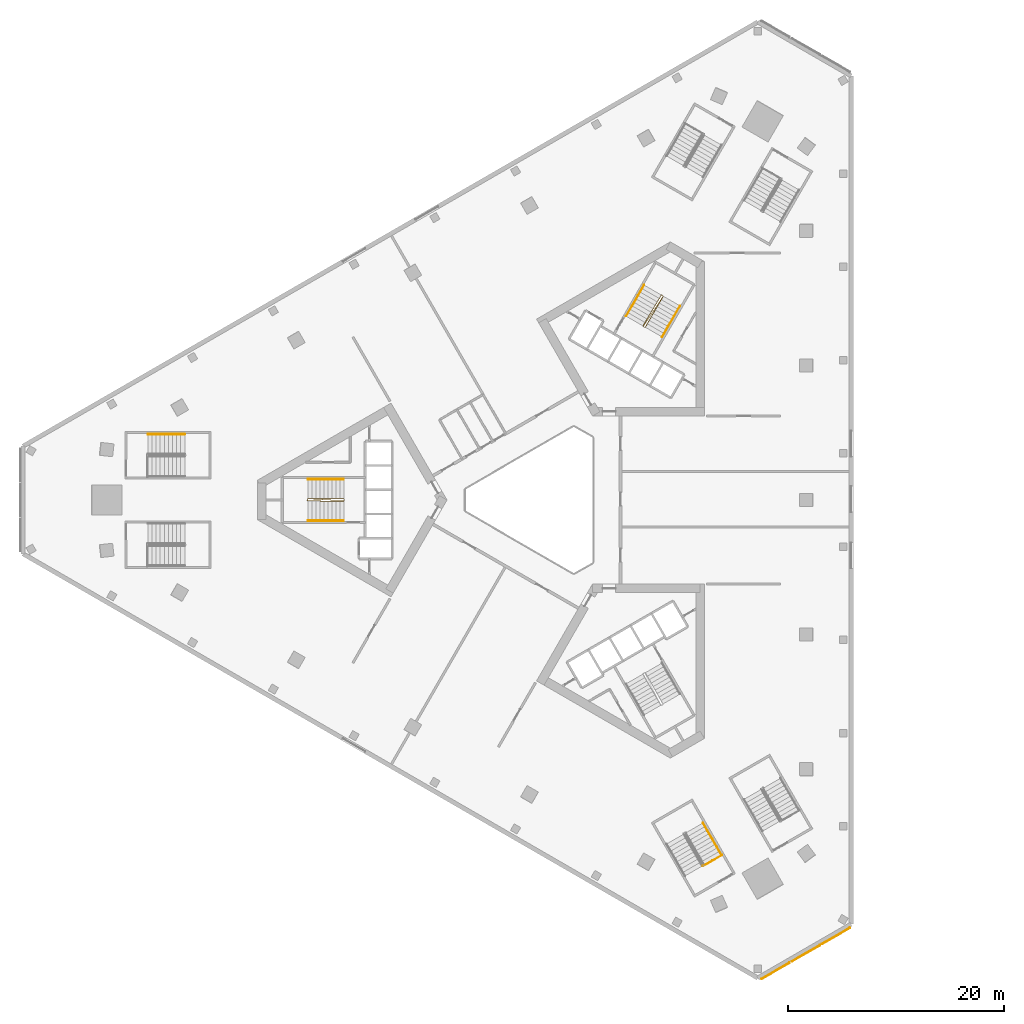
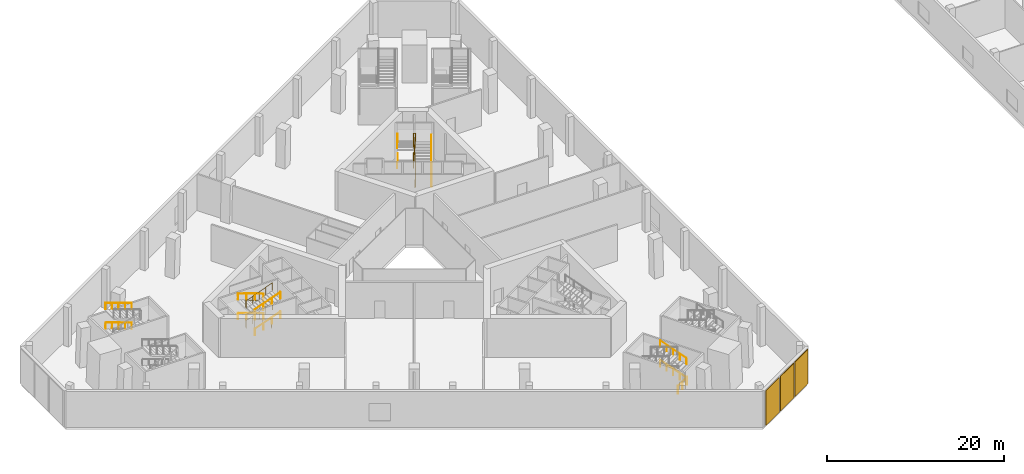
# One storey, part 22 of 35: 15 railings, 3 coverings.
"""IFC4 building model written with IfcOpenShell, lengths in metres."""

from ifc_helpers import new_model, si_unit, direction, frame, origin, origin_2d, place, context, subcontext, project, spatial, rectangle, circle, extrude, material, layer, layer_set, type_object, element, save


model = new_model("IFC4")

# Units and contexts
model_context = context("Model", 3, precision=1e-05, world=origin(), true_north=direction((0.0, 1.0)))
body_context = subcontext(model_context, "Body", "Model", "MODEL_VIEW")
ifc_project = project(units=[si_unit("LENGTHUNIT", "METRE"), si_unit("AREAUNIT", "SQUARE_METRE"), si_unit("VOLUMEUNIT", "CUBIC_METRE"), si_unit("PLANEANGLEUNIT", "RADIAN"), si_unit("MASSUNIT", "GRAM", prefix="KILO")], contexts=[model_context])

# Site, building, storey
site_placement = place(None, origin())
site = spatial("IfcSite", under=ifc_project, at=site_placement, CompositionType="ELEMENT")
building_placement = place(site_placement, origin())
building = spatial("IfcBuilding", under=site, at=building_placement, Name="Jabali Bay Hotel Tower and Convention Centre", CompositionType="ELEMENT")
storey_placement = place(building_placement, frame((0.0, 0.0, 15.0)))
storey = spatial("IfcBuildingStorey", under=building, at=storey_placement, Name="L02", CompositionType="ELEMENT", Elevation=15.0)

# Coverings
ifc_material_1 = material(Name="Precast concrete C40/50", Category="concrete")
ifc_layer = layer(ifc_material_1, 0.080078125)
ifc_layer_set = layer_set([ifc_layer], Name="Precast concrete C40/50")
covering_type = type_object("IfcCoveringType", Name="Relief panel 3000 x 4800", PredefinedType="CLADDING", material=ifc_layer_set)
for number, where, z_axis, x_axis, name in (
    (1, (102.1044921875, 39.5537109375, 0.10009765625), (0.0, 0.0, 1.0), (-0.866025402842, -0.500000001632, 0.0), "Relief panel L02"),
    (2, (99.289794921875, 37.9287109375, 0.10009765625), (0.0, 0.0, 1.0), (-0.866025402842, -0.500000001632, 0.0), "Relief panel L02"),
    (3, (96.475341796875, 36.3037109375, 0.10009765625), (0.0, 0.0, 1.0), (-0.866025402842, -0.500000001632, 0.0), "Relief panel L02"),
):
    element("IfcCovering", number, at=place(storey_placement, frame(where, z_axis=z_axis, x_axis=x_axis)), inside=storey, type_object=covering_type, Name=name, PredefinedType="CLADDING", context=body_context, shape_type="SweptSolid", body=[
        extrude(rectangle(XDim=3.0, YDim=0.080078125, at=origin_2d()), origin(), (0.0, 0.0, 1.0), 4.800048828125),
    ])

# Railings
ifc_material_2 = material(Name="Steel Q355B", Category="steel")
railing_type_1 = type_object("IfcRailingType", Name="Stair guard 1100", PredefinedType="GUARDRAIL", material=ifc_material_2)
railing_1_placement = place(storey_placement, frame((56.469970703125, 80.074951171875, 0.0)))
element("IfcRailing", 4, at=railing_1_placement, inside=storey, type_object=railing_type_1, Name="L02 ST1 stair guard 1", PredefinedType="GUARDRAIL", context=body_context, shape_type="SweptSolid", body=[
    extrude(circle(Radius=0.02392578125, at=origin_2d()), frame((0.0, 0.0, 1.076171875), z_axis=(-0.328322071194, 0.328322071194, 0.885668806684), x_axis=(-0.707106781187, -0.707106781187, 0.0)), (0.0, 0.0, 1.0), 0.15234375),
    extrude(circle(Radius=0.02392578125, at=origin_2d()), frame((-0.050048828125, 0.050048828125, 1.2109375), z_axis=(-0.939408729407, 0.0, 0.342799123562), x_axis=(0.0, -1.0, 0.0)), (0.0, 0.0, 1.0), 3.544677734375),
    extrude(circle(Radius=0.02392578125, at=origin_2d()), frame((-3.3798828125, 0.050048828125, 2.42626953125), z_axis=(-0.242814311512, -0.970072785993, 0.0), x_axis=(0.970072785993, -0.242814311512, 0.0)), (0.0, 0.0, 1.0), 0.2060546875),
    extrude(circle(Radius=0.02392578125, at=origin_2d()), frame((-3.429931640625, -0.14990234375, 2.42626953125), z_axis=(0.928587690809, -0.013750395595, 0.370858230459), x_axis=(0.014806235788, 0.999890381683, 0.0)), (0.0, 0.0, 1.0), 3.639892578125),
    extrude(circle(Radius=0.02392578125, at=origin_2d()), frame((-0.050048828125, -0.199951171875, 3.77587890625), z_axis=(0.707106781187, 0.707106781187, 0.0), x_axis=(-0.707106781187, 0.707106781187, 0.0)), (0.0, 0.0, 1.0), 0.07080078125),
    extrude(circle(Radius=0.02392578125, at=origin_2d()), frame((0.0, -0.14990234375, 3.77587890625), z_axis=(-0.927254107702, 0.054855613566, 0.37039260442), x_axis=(-0.059055950465, -0.998254674276, 0.0)), (0.0, 0.0, 1.0), 3.64501953125),
    extrude(circle(Radius=0.02392578125, at=origin_2d()), frame((-3.3798828125, 0.050048828125, 5.1259765625), z_axis=(-0.242814311512, -0.970072785993, 0.0), x_axis=(0.970072785993, -0.242814311512, 0.0)), (0.0, 0.0, 1.0), 0.2060546875),
    extrude(circle(Radius=0.02392578125, at=origin_2d()), frame((-3.429931640625, -0.14990234375, 5.1259765625), z_axis=(0.928587690809, -0.013750395595, 0.370858230459), x_axis=(0.014806235788, 0.999890381683, 0.0)), (0.0, 0.0, 1.0), 3.639892578125),
    extrude(circle(Radius=0.02099609375, at=origin_2d()), origin(), (0.0, 0.0, 1.0), 1.052001953125),
    extrude(circle(Radius=0.02099609375, at=origin_2d()), frame((-0.050048828125, 0.050048828125, 0.135009765625)), (0.0, 0.0, 1.0), 1.052001953125),
    extrude(circle(Radius=0.02099609375, at=origin_2d()), frame((-1.159912109375, 0.050048828125, 0.5400390625)), (0.0, 0.0, 1.0), 1.052001953125),
    extrude(circle(Radius=0.02099609375, at=origin_2d()), frame((-2.27001953125, 0.050048828125, 0.945068359375)), (0.0, 0.0, 1.0), 1.052001953125),
    extrude(circle(Radius=0.02099609375, at=origin_2d()), frame((-3.3798828125, 0.050048828125, 1.35009765625)), (0.0, 0.0, 1.0), 1.052001953125),
    extrude(circle(Radius=0.02099609375, at=origin_2d()), frame((-3.429931640625, -0.14990234375, 1.35009765625)), (0.0, 0.0, 1.0), 1.052001953125),
    extrude(circle(Radius=0.02099609375, at=origin_2d()), frame((-2.5849609375, -0.162353515625, 1.6875)), (0.0, 0.0, 1.0), 1.052001953125),
    extrude(circle(Radius=0.02099609375, at=origin_2d()), frame((-1.739990234375, -0.1748046875, 2.02490234375)), (0.0, 0.0, 1.0), 1.052001953125),
    extrude(circle(Radius=0.02099609375, at=origin_2d()), frame((-0.89501953125, -0.1875, 2.362548828125)), (0.0, 0.0, 1.0), 1.052001953125),
    extrude(circle(Radius=0.02099609375, at=origin_2d()), frame((-0.050048828125, -0.199951171875, 2.699951171875)), (0.0, 0.0, 1.0), 1.052001953125),
    extrude(circle(Radius=0.02099609375, at=origin_2d()), frame((0.0, -0.14990234375, 2.699951171875)), (0.0, 0.0, 1.0), 1.052001953125),
    extrude(circle(Radius=0.02099609375, at=origin_2d()), frame((-0.844970703125, -0.099853515625, 3.03759765625)), (0.0, 0.0, 1.0), 1.052001953125),
    extrude(circle(Radius=0.02099609375, at=origin_2d()), frame((-1.68994140625, -0.0498046875, 3.375)), (0.0, 0.0, 1.0), 1.052001953125),
    extrude(circle(Radius=0.02099609375, at=origin_2d()), frame((-2.534912109375, 0.0, 3.71240234375)), (0.0, 0.0, 1.0), 1.052001953125),
    extrude(circle(Radius=0.02099609375, at=origin_2d()), frame((-3.3798828125, 0.050048828125, 4.050048828125)), (0.0, 0.0, 1.0), 1.052001953125),
    extrude(circle(Radius=0.02099609375, at=origin_2d()), frame((-3.429931640625, -0.14990234375, 4.050048828125)), (0.0, 0.0, 1.0), 1.052001953125),
    extrude(circle(Radius=0.02099609375, at=origin_2d()), frame((-2.5849609375, -0.162353515625, 4.387451171875)), (0.0, 0.0, 1.0), 1.052001953125),
    extrude(circle(Radius=0.02099609375, at=origin_2d()), frame((-1.739990234375, -0.1748046875, 4.72509765625)), (0.0, 0.0, 1.0), 1.052001953125),
    extrude(circle(Radius=0.02099609375, at=origin_2d()), frame((-0.89501953125, -0.1875, 5.0625)), (0.0, 0.0, 1.0), 1.052001953125),
    extrude(circle(Radius=0.02099609375, at=origin_2d()), frame((-0.050048828125, -0.199951171875, 5.39990234375)), (0.0, 0.0, 1.0), 1.052001953125),
])
railing_2_placement = place(storey_placement, frame((84.329833984375, 96.010009765625, 0.0)))
element("IfcRailing", 5, at=railing_2_placement, inside=storey, type_object=railing_type_1, Name="L02 ST2 stair guard 1", PredefinedType="GUARDRAIL", context=body_context, shape_type="SweptSolid", body=[
    extrude(circle(Radius=0.02392578125, at=origin_2d()), frame((0.0, 0.0, 1.076171875), z_axis=(0.448454281082, 0.120121682433, 0.885697205138), x_axis=(-0.258736085224, 0.965948051503, 0.0)), (0.0, 0.0, 1.0), 0.15234375),
    extrude(circle(Radius=0.02392578125, at=origin_2d()), frame((0.068359375, 0.018310546875, 1.2109375), z_axis=(0.469723847584, 0.813545174145, 0.342788209593), x_axis=(-0.866014653411, 0.500018619731, 0.0)), (0.0, 0.0, 1.0), 3.544677734375),
    extrude(circle(Radius=0.02392578125, at=origin_2d()), frame((1.7333984375, 2.902099609375, 2.42626953125), z_axis=(-0.718850276695, 0.695164929852, 0.0), x_axis=(-0.695164929852, -0.718850276695, 0.0)), (0.0, 0.0, 1.0), 0.2060546875),
    extrude(circle(Radius=0.02392578125, at=origin_2d()), frame((1.585205078125, 3.04541015625, 2.42626953125), z_axis=(-0.476219921115, -0.797299465112, 0.370847879415), x_axis=(0.858517215027, -0.512784741877, 0.0)), (0.0, 0.0, 1.0), 3.639892578125),
    extrude(circle(Radius=0.02392578125, at=origin_2d()), frame((-0.148193359375, 0.143310546875, 3.77587890625), z_axis=(0.258736085224, -0.965948051503, 0.0), x_axis=(0.965948051503, 0.258736085224, 0.0)), (0.0, 0.0, 1.0), 0.07080078125),
    extrude(circle(Radius=0.02392578125, at=origin_2d()), frame((-0.1298828125, 0.074951171875, 3.77587890625), z_axis=(0.511162802913, 0.775585070457, 0.370378708085), x_axis=(-0.834967240255, 0.550299652645, 0.0)), (0.0, 0.0, 1.0), 3.645263671875),
    extrude(circle(Radius=0.02392578125, at=origin_2d()), frame((1.7333984375, 2.902099609375, 5.1259765625), z_axis=(-0.718850276695, 0.695164929852, 0.0), x_axis=(-0.695164929852, -0.718850276695, 0.0)), (0.0, 0.0, 1.0), 0.2060546875),
    extrude(circle(Radius=0.02392578125, at=origin_2d()), frame((1.585205078125, 3.04541015625, 5.1259765625), z_axis=(-0.476219921115, -0.797299465112, 0.370847879415), x_axis=(0.858517215027, -0.512784741877, 0.0)), (0.0, 0.0, 1.0), 3.639892578125),
    extrude(circle(Radius=0.02099609375, at=origin_2d()), origin(), (0.0, 0.0, 1.0), 1.052001953125),
    extrude(circle(Radius=0.02099609375, at=origin_2d()), frame((0.068359375, 0.018310546875, 0.135009765625)), (0.0, 0.0, 1.0), 1.052001953125),
    extrude(circle(Radius=0.02099609375, at=origin_2d()), frame((0.623291015625, 0.9794921875, 0.5400390625)), (0.0, 0.0, 1.0), 1.052001953125),
    extrude(circle(Radius=0.02099609375, at=origin_2d()), frame((1.178466796875, 1.94091796875, 0.945068359375)), (0.0, 0.0, 1.0), 1.052001953125),
    extrude(circle(Radius=0.02099609375, at=origin_2d()), frame((1.7333984375, 2.902099609375, 1.35009765625)), (0.0, 0.0, 1.0), 1.052001953125),
    extrude(circle(Radius=0.02099609375, at=origin_2d()), frame((1.585205078125, 3.04541015625, 1.35009765625)), (0.0, 0.0, 1.0), 1.052001953125),
    extrude(circle(Radius=0.02099609375, at=origin_2d()), frame((1.15185546875, 2.31982421875, 1.6875)), (0.0, 0.0, 1.0), 1.052001953125),
    extrude(circle(Radius=0.02099609375, at=origin_2d()), frame((0.718505859375, 1.59423828125, 2.02490234375)), (0.0, 0.0, 1.0), 1.052001953125),
    extrude(circle(Radius=0.02099609375, at=origin_2d()), frame((0.28515625, 0.868896484375, 2.362548828125)), (0.0, 0.0, 1.0), 1.052001953125),
    extrude(circle(Radius=0.02099609375, at=origin_2d()), frame((-0.148193359375, 0.143310546875, 2.699951171875)), (0.0, 0.0, 1.0), 1.052001953125),
    extrude(circle(Radius=0.02099609375, at=origin_2d()), frame((-0.1298828125, 0.074951171875, 2.699951171875)), (0.0, 0.0, 1.0), 1.052001953125),
    extrude(circle(Radius=0.02099609375, at=origin_2d()), frame((0.3359375, 0.78173828125, 3.03759765625)), (0.0, 0.0, 1.0), 1.052001953125),
    extrude(circle(Radius=0.02099609375, at=origin_2d()), frame((0.8017578125, 1.488525390625, 3.375)), (0.0, 0.0, 1.0), 1.052001953125),
    extrude(circle(Radius=0.02099609375, at=origin_2d()), frame((1.267578125, 2.1953125, 3.71240234375)), (0.0, 0.0, 1.0), 1.052001953125),
    extrude(circle(Radius=0.02099609375, at=origin_2d()), frame((1.7333984375, 2.902099609375, 4.050048828125)), (0.0, 0.0, 1.0), 1.052001953125),
    extrude(circle(Radius=0.02099609375, at=origin_2d()), frame((1.585205078125, 3.04541015625, 4.050048828125)), (0.0, 0.0, 1.0), 1.052001953125),
    extrude(circle(Radius=0.02099609375, at=origin_2d()), frame((1.15185546875, 2.31982421875, 4.387451171875)), (0.0, 0.0, 1.0), 1.052001953125),
    extrude(circle(Radius=0.02099609375, at=origin_2d()), frame((0.718505859375, 1.59423828125, 4.72509765625)), (0.0, 0.0, 1.0), 1.052001953125),
    extrude(circle(Radius=0.02099609375, at=origin_2d()), frame((0.28515625, 0.868896484375, 5.0625)), (0.0, 0.0, 1.0), 1.052001953125),
    extrude(circle(Radius=0.02099609375, at=origin_2d()), frame((-0.148193359375, 0.143310546875, 5.39990234375)), (0.0, 0.0, 1.0), 1.052001953125),
])
railing_3_placement = place(storey_placement, frame((91.5380859375, 47.05517578125, 0.0)))
element("IfcRailing", 6, at=railing_3_placement, inside=storey, type_object=railing_type_1, Name="L02 PS6 top well guard 1", PredefinedType="GUARDRAIL", context=body_context, shape_type="SweptSolid", body=[
    extrude(circle(Radius=0.02392578125, at=origin_2d()), frame((0.0, 0.0, 1.076171875), z_axis=(-0.866050731258, -0.499956128963, 0.0), x_axis=(0.499956128963, -0.866050731258, 0.0)), (0.0, 0.0, 1.0), 2.050048828125),
    extrude(circle(Radius=0.02099609375, at=origin_2d()), origin(), (0.0, 0.0, 1.0), 1.052001953125),
    extrude(circle(Radius=0.02099609375, at=origin_2d()), frame((-0.8876953125, -0.512451171875, 0.0)), (0.0, 0.0, 1.0), 1.052001953125),
    extrude(circle(Radius=0.02099609375, at=origin_2d()), frame((-1.775390625, -1.02490234375, 0.0)), (0.0, 0.0, 1.0), 1.052001953125),
])
railing_type_2 = type_object("IfcRailingType", Name="Stair handrail 900", PredefinedType="HANDRAIL", material=ifc_material_2)
railing_4_placement = place(storey_placement, frame((56.419921875, 81.925048828125, 0.135009765625)))
element("IfcRailing", 7, at=railing_4_placement, inside=storey, type_object=railing_type_2, Name="L02 ST1 stair handrail 1", PredefinedType="HANDRAIL", context=body_context, shape_type="SweptSolid", body=[
    extrude(circle(Radius=0.02392578125, at=origin_2d()), frame((0.0, 0.0, 0.8759765625), z_axis=(-0.939408729407, 0.0, 0.342799123562), x_axis=(0.0, -1.0, 0.0)), (0.0, 0.0, 1.0), 3.544677734375),
    extrude(circle(Radius=0.02099609375, at=origin_2d()), origin(), (0.0, 0.0, 1.0), 0.851806640625),
    extrude(circle(Radius=0.02099609375, at=origin_2d()), frame((-1.10986328125, 0.0, 0.405029296875)), (0.0, 0.0, 1.0), 0.851806640625),
    extrude(circle(Radius=0.02099609375, at=origin_2d()), frame((-2.219970703125, 0.0, 0.81005859375)), (0.0, 0.0, 1.0), 0.851806640625),
    extrude(circle(Radius=0.02099609375, at=origin_2d()), frame((-3.329833984375, 0.0, 1.215087890625)), (0.0, 0.0, 1.0), 0.851806640625),
])
railing_5_placement = place(storey_placement, frame((53.090087890625, 78.074951171875, 1.485107421875)))
element("IfcRailing", 8, at=railing_5_placement, inside=storey, type_object=railing_type_2, Name="L02 ST1 stair handrail 2", PredefinedType="HANDRAIL", context=body_context, shape_type="SweptSolid", body=[
    extrude(circle(Radius=0.02392578125, at=origin_2d()), frame((0.0, 0.0, 0.8759765625), z_axis=(0.93943090821, 0.0, 0.342738338533), x_axis=(0.0, 1.0, 0.0)), (0.0, 0.0, 1.0), 3.54443359375),
    extrude(circle(Radius=0.02099609375, at=origin_2d()), origin(), (0.0, 0.0, 1.0), 0.851806640625),
    extrude(circle(Radius=0.02099609375, at=origin_2d()), frame((1.10986328125, 0.0, 0.405029296875)), (0.0, 0.0, 1.0), 0.851806640625),
    extrude(circle(Radius=0.02099609375, at=origin_2d()), frame((2.219970703125, 0.0, 0.809814453125)), (0.0, 0.0, 1.0), 0.851806640625),
    extrude(circle(Radius=0.02099609375, at=origin_2d()), frame((3.329833984375, 0.0, 1.21484375)), (0.0, 0.0, 1.0), 0.851806640625),
])
railing_6_placement = place(storey_placement, frame((56.419921875, 81.925048828125, 2.8349609375)))
element("IfcRailing", 9, at=railing_6_placement, inside=storey, type_object=railing_type_2, Name="L02 ST1 stair handrail 3", PredefinedType="HANDRAIL", context=body_context, shape_type="SweptSolid", body=[
    extrude(circle(Radius=0.02392578125, at=origin_2d()), frame((0.0, 0.0, 0.8759765625), z_axis=(-0.939408729407, 0.0, 0.342799123562), x_axis=(0.0, -1.0, 0.0)), (0.0, 0.0, 1.0), 3.544677734375),
    extrude(circle(Radius=0.02099609375, at=origin_2d()), origin(), (0.0, 0.0, 1.0), 0.851806640625),
    extrude(circle(Radius=0.02099609375, at=origin_2d()), frame((-1.10986328125, 0.0, 0.405029296875)), (0.0, 0.0, 1.0), 0.851806640625),
    extrude(circle(Radius=0.02099609375, at=origin_2d()), frame((-2.219970703125, 0.0, 0.81005859375)), (0.0, 0.0, 1.0), 0.851806640625),
    extrude(circle(Radius=0.02099609375, at=origin_2d()), frame((-3.329833984375, 0.0, 1.215087890625)), (0.0, 0.0, 1.0), 0.851806640625),
])
railing_7_placement = place(storey_placement, frame((53.090087890625, 78.074951171875, 4.18505859375)))
element("IfcRailing", 10, at=railing_7_placement, inside=storey, type_object=railing_type_2, Name="L02 ST1 stair handrail 4", PredefinedType="HANDRAIL", context=body_context, shape_type="SweptSolid", body=[
    extrude(circle(Radius=0.02392578125, at=origin_2d()), frame((0.0, 0.0, 0.8759765625), z_axis=(0.93943090821, 0.0, 0.342738338533), x_axis=(0.0, 1.0, 0.0)), (0.0, 0.0, 1.0), 3.54443359375),
    extrude(circle(Radius=0.02099609375, at=origin_2d()), origin(), (0.0, 0.0, 1.0), 0.851806640625),
    extrude(circle(Radius=0.02099609375, at=origin_2d()), frame((1.10986328125, 0.0, 0.405029296875)), (0.0, 0.0, 1.0), 0.851806640625),
    extrude(circle(Radius=0.02099609375, at=origin_2d()), frame((2.219970703125, 0.0, 0.809814453125)), (0.0, 0.0, 1.0), 0.851806640625),
    extrude(circle(Radius=0.02099609375, at=origin_2d()), frame((3.329833984375, 0.0, 1.21484375)), (0.0, 0.0, 1.0), 0.851806640625),
])
railing_8_placement = place(storey_placement, frame((85.95703125, 95.128173828125, 0.135009765625)))
element("IfcRailing", 11, at=railing_8_placement, inside=storey, type_object=railing_type_2, Name="L02 ST2 stair handrail 1", PredefinedType="HANDRAIL", context=body_context, shape_type="SweptSolid", body=[
    extrude(circle(Radius=0.02392578125, at=origin_2d()), frame((0.0, 0.0, 0.8759765625), z_axis=(0.469697528886, 0.813568461692, 0.342769003118), x_axis=(-0.866032982159, 0.499986873641, 0.0)), (0.0, 0.0, 1.0), 3.544921875),
    extrude(circle(Radius=0.02099609375, at=origin_2d()), origin(), (0.0, 0.0, 1.0), 0.851806640625),
    extrude(circle(Radius=0.02099609375, at=origin_2d()), frame((0.554931640625, 0.96142578125, 0.405029296875)), (0.0, 0.0, 1.0), 0.851806640625),
    extrude(circle(Radius=0.02099609375, at=origin_2d()), frame((1.110107421875, 1.922607421875, 0.81005859375)), (0.0, 0.0, 1.0), 0.851806640625),
    extrude(circle(Radius=0.02099609375, at=origin_2d()), frame((1.6650390625, 2.884033203125, 1.215087890625)), (0.0, 0.0, 1.0), 0.851806640625),
])
railing_9_placement = place(storey_placement, frame((84.287841796875, 99.93701171875, 1.485107421875)))
element("IfcRailing", 12, at=railing_9_placement, inside=storey, type_object=railing_type_2, Name="L02 ST2 stair handrail 2", PredefinedType="HANDRAIL", context=body_context, shape_type="SweptSolid", body=[
    extrude(circle(Radius=0.02392578125, at=origin_2d()), frame((0.0, 0.0, 0.8759765625), z_axis=(-0.46973493674, -0.813564380172, 0.342727425985), x_axis=(0.866014653411, -0.500018619731, 0.0)), (0.0, 0.0, 1.0), 3.544677734375),
    extrude(circle(Radius=0.02099609375, at=origin_2d()), origin(), (0.0, 0.0, 1.0), 0.851806640625),
    extrude(circle(Radius=0.02099609375, at=origin_2d()), frame((-0.554931640625, -0.961181640625, 0.405029296875)), (0.0, 0.0, 1.0), 0.851806640625),
    extrude(circle(Radius=0.02099609375, at=origin_2d()), frame((-1.110107421875, -1.922607421875, 0.809814453125)), (0.0, 0.0, 1.0), 0.851806640625),
    extrude(circle(Radius=0.02099609375, at=origin_2d()), frame((-1.6650390625, -2.8837890625, 1.21484375)), (0.0, 0.0, 1.0), 0.851806640625),
])
railing_10_placement = place(storey_placement, frame((85.95703125, 95.128173828125, 2.8349609375)))
element("IfcRailing", 13, at=railing_10_placement, inside=storey, type_object=railing_type_2, Name="L02 ST2 stair handrail 3", PredefinedType="HANDRAIL", context=body_context, shape_type="SweptSolid", body=[
    extrude(circle(Radius=0.02392578125, at=origin_2d()), frame((0.0, 0.0, 0.8759765625), z_axis=(0.469697528886, 0.813568461692, 0.342769003118), x_axis=(-0.866032982159, 0.499986873641, 0.0)), (0.0, 0.0, 1.0), 3.544921875),
    extrude(circle(Radius=0.02099609375, at=origin_2d()), origin(), (0.0, 0.0, 1.0), 0.851806640625),
    extrude(circle(Radius=0.02099609375, at=origin_2d()), frame((0.554931640625, 0.96142578125, 0.405029296875)), (0.0, 0.0, 1.0), 0.851806640625),
    extrude(circle(Radius=0.02099609375, at=origin_2d()), frame((1.110107421875, 1.922607421875, 0.81005859375)), (0.0, 0.0, 1.0), 0.851806640625),
    extrude(circle(Radius=0.02099609375, at=origin_2d()), frame((1.6650390625, 2.884033203125, 1.215087890625)), (0.0, 0.0, 1.0), 0.851806640625),
])
railing_11_placement = place(storey_placement, frame((84.287841796875, 99.93701171875, 4.18505859375)))
element("IfcRailing", 14, at=railing_11_placement, inside=storey, type_object=railing_type_2, Name="L02 ST2 stair handrail 4", PredefinedType="HANDRAIL", context=body_context, shape_type="SweptSolid", body=[
    extrude(circle(Radius=0.02392578125, at=origin_2d()), frame((0.0, 0.0, 0.8759765625), z_axis=(-0.46973493674, -0.813564380172, 0.342727425985), x_axis=(0.866014653411, -0.500018619731, 0.0)), (0.0, 0.0, 1.0), 3.544677734375),
    extrude(circle(Radius=0.02099609375, at=origin_2d()), origin(), (0.0, 0.0, 1.0), 0.851806640625),
    extrude(circle(Radius=0.02099609375, at=origin_2d()), frame((-0.554931640625, -0.961181640625, 0.405029296875)), (0.0, 0.0, 1.0), 0.851806640625),
    extrude(circle(Radius=0.02099609375, at=origin_2d()), frame((-1.110107421875, -1.922607421875, 0.809814453125)), (0.0, 0.0, 1.0), 0.851806640625),
    extrude(circle(Radius=0.02099609375, at=origin_2d()), frame((-1.6650390625, -2.8837890625, 1.21484375)), (0.0, 0.0, 1.0), 0.851806640625),
])
for number, where, name in (
    (15, (41.669921875, 86.10009765625, 1.485107421875), "L02 PS2 stair handrail 2"),
    (16, (41.669921875, 86.10009765625, 4.18505859375), "L02 PS2 stair handrail 4"),
):
    element("IfcRailing", number, at=place(storey_placement, frame(where)), inside=storey, type_object=railing_type_2, Name=name, PredefinedType="HANDRAIL", context=body_context, shape_type="SweptSolid", body=[
        extrude(circle(Radius=0.02392578125, at=origin_2d()), frame((0.0, 0.0, 0.8759765625), z_axis=(-0.942312796835, 0.0, 0.334733614866), x_axis=(0.0, -1.0, 0.0)), (0.0, 0.0, 1.0), 3.62939453125),
        extrude(circle(Radius=0.02099609375, at=origin_2d()), origin(), (0.0, 0.0, 1.0), 0.851806640625),
        extrude(circle(Radius=0.02099609375, at=origin_2d()), frame((-0.85498046875, 0.0, 0.3037109375)), (0.0, 0.0, 1.0), 0.851806640625),
        extrude(circle(Radius=0.02099609375, at=origin_2d()), frame((-1.7099609375, 0.0, 0.607421875)), (0.0, 0.0, 1.0), 0.851806640625),
        extrude(circle(Radius=0.02099609375, at=origin_2d()), frame((-2.56494140625, 0.0, 0.9111328125)), (0.0, 0.0, 1.0), 0.851806640625),
        extrude(circle(Radius=0.02099609375, at=origin_2d()), frame((-3.419921875, 0.0, 1.21484375)), (0.0, 0.0, 1.0), 0.851806640625),
    ])
for number, where, name in (
    (17, (91.4697265625, 47.073486328125, 0.135009765625), "L02 PS6 stair handrail 1"),
    (18, (91.4697265625, 47.073486328125, 2.8349609375), "L02 PS6 stair handrail 3"),
):
    element("IfcRailing", number, at=place(storey_placement, frame(where)), inside=storey, type_object=railing_type_2, Name=name, PredefinedType="HANDRAIL", context=body_context, shape_type="SweptSolid", body=[
        extrude(circle(Radius=0.02392578125, at=origin_2d()), frame((0.0, 0.0, 0.8759765625), z_axis=(-0.471127267345, 0.816064535613, 0.33478018412), x_axis=(-0.866038183914, -0.499977863513, 0.0)), (0.0, 0.0, 1.0), 3.62939453125),
        extrude(circle(Radius=0.02099609375, at=origin_2d()), origin(), (0.0, 0.0, 1.0), 0.851806640625),
        extrude(circle(Radius=0.02099609375, at=origin_2d()), frame((-0.427490234375, 0.740478515625, 0.3037109375)), (0.0, 0.0, 1.0), 0.851806640625),
        extrude(circle(Radius=0.02099609375, at=origin_2d()), frame((-0.85498046875, 1.48095703125, 0.607421875)), (0.0, 0.0, 1.0), 0.851806640625),
        extrude(circle(Radius=0.02099609375, at=origin_2d()), frame((-1.282470703125, 2.221435546875, 0.911376953125)), (0.0, 0.0, 1.0), 0.851806640625),
        extrude(circle(Radius=0.02099609375, at=origin_2d()), frame((-1.7099609375, 2.9619140625, 1.215087890625)), (0.0, 0.0, 1.0), 0.851806640625),
    ])

save(model, "model.ifc")
